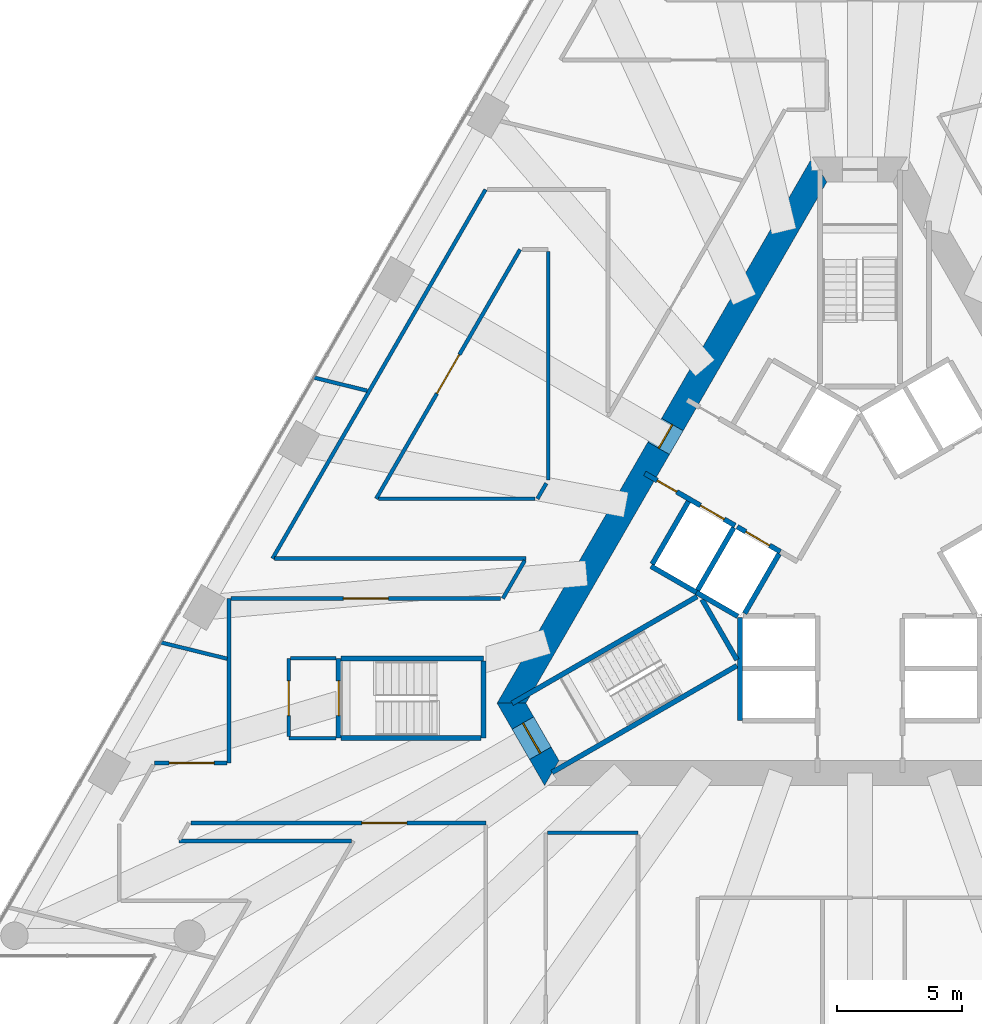
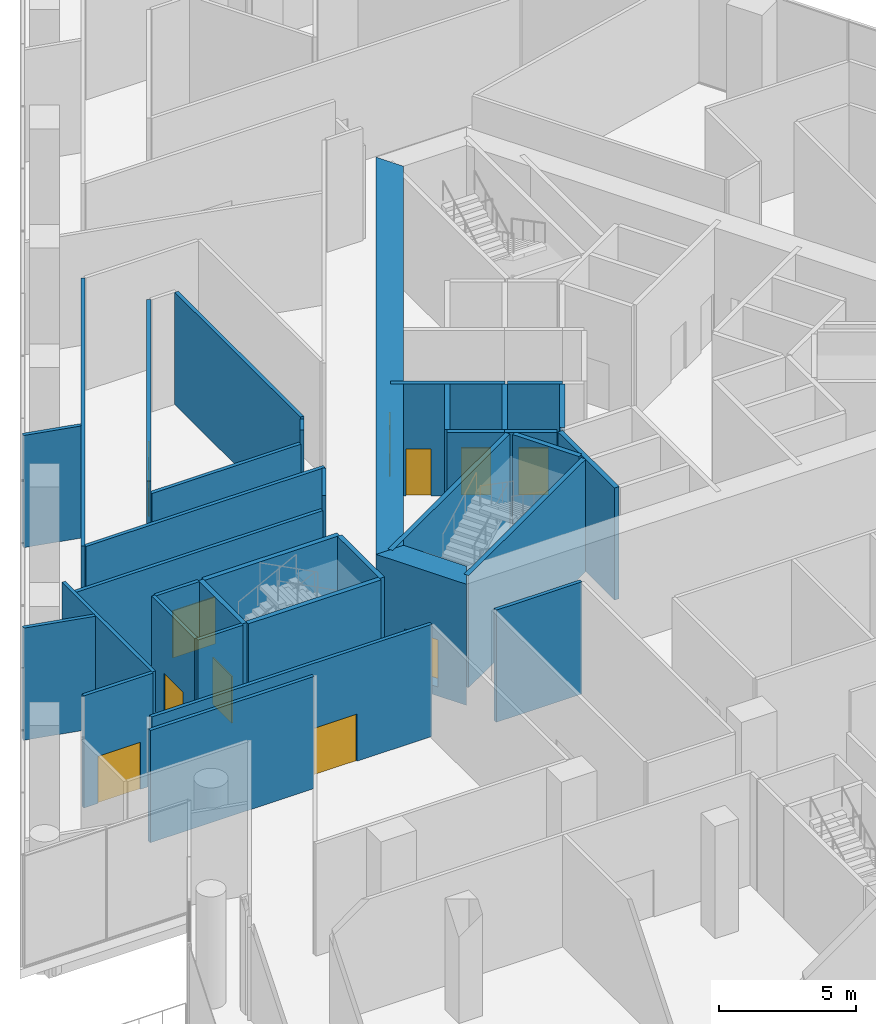
# One storey, part 23 of 32: 35 walls, 11 doors, 11 openings.
"""IFC4 building model written with IfcOpenShell, lengths in metres."""

from ifc_helpers import new_model, si_unit, direction, frame, frame_2d, origin, place, context, subcontext, project, spatial, polyline, rectangle, outline, extrude, material, layer, layer_set, type_object, element, fill, save


model = new_model("IFC4")

# Units and contexts
model_context = context("Model", 3, precision=1e-05, world=origin(), true_north=direction((0.0, 1.0)))
body_context = subcontext(model_context, "Body", "Model", "MODEL_VIEW")
ifc_project = project(units=[si_unit("LENGTHUNIT", "METRE"), si_unit("AREAUNIT", "SQUARE_METRE"), si_unit("VOLUMEUNIT", "CUBIC_METRE"), si_unit("PLANEANGLEUNIT", "RADIAN"), si_unit("MASSUNIT", "GRAM", prefix="KILO")], contexts=[model_context])

# Site, building, storey
site_placement = place(None, origin())
site = spatial("IfcSite", under=ifc_project, at=site_placement, CompositionType="ELEMENT")
building_placement = place(site_placement, origin())
building = spatial("IfcBuilding", under=site, at=building_placement, Name="Triada Interchange Tower", CompositionType="ELEMENT")
storey_placement = place(building_placement, frame((0.0, 0.0, 14.5)))
storey = spatial("IfcBuildingStorey", under=building, at=storey_placement, Name="L02", CompositionType="ELEMENT", Elevation=14.5)

# Walls
ifc_material_1 = material(Name="Concrete C30/37", Category="concrete")
ifc_layer_1 = layer(ifc_material_1, 0.199951171875)
ifc_layer_set_1 = layer_set([ifc_layer_1], Name="CORE WALL 200 EI 120")
wall_type_1 = type_object("IfcWallType", Name="CORE WALL 200 EI 120", PredefinedType="SOLIDWALL", material=ifc_layer_set_1)
wall_1_placement = place(storey_placement, frame((-8.3759765625, -0.70703125, 0.0), z_axis=(0.0, 0.0, 1.0), x_axis=(0.866067520717, -0.499927044236, 0.0)))
element("IfcWall", 1, at=wall_1_placement, inside=storey, type_object=wall_type_1, Name="Wall L02 143", PredefinedType="SOLIDWALL", context=body_context, shape_type="SweptSolid", body=[
    extrude(rectangle(XDim=2.100341796875, YDim=0.199951171875, at=frame_2d((1.05029296875, 0.0))), origin(), (0.0, 0.0, 1.0), 5.0),
])
wall_2_placement = place(storey_placement, frame((-8.325927734375, -0.6201171875, 0.0), z_axis=(0.0, 0.0, 1.0), x_axis=(0.500023687443, 0.866011727401, 0.0)))
element("IfcWall", 2, at=wall_2_placement, inside=storey, type_object=wall_type_1, Name="Wall L02 144", PredefinedType="SOLIDWALL", context=body_context, shape_type="SweptSolid", body=[
    extrude(rectangle(XDim=2.899658203125, YDim=0.199951171875, at=frame_2d((1.44970703125, 0.0))), origin(), (0.0, 0.0, 1.0), 5.0),
])
wall_3_placement = place(storey_placement, frame((-4.800048828125, -6.89990234375, 0.0), z_axis=(0.0, 0.0, 1.0), x_axis=(0.0, 1.0, 0.0)))
element("IfcWall", 3, at=wall_3_placement, inside=storey, type_object=wall_type_1, Name="Wall L02 147", PredefinedType="SOLIDWALL", context=body_context, shape_type="SweptSolid", body=[
    extrude(rectangle(XDim=4.130859375, YDim=0.199951171875, at=frame_2d((2.0654296875, 0.0))), origin(), (0.0, 0.0, 1.0), 5.0),
])

# Wall, openings, doors
ifc_layer_2 = layer(ifc_material_1, 0.199951171875)
ifc_layer_set_2 = layer_set([ifc_layer_2], Name="CORE WALL 200 EI 180")
wall_type_2 = type_object("IfcWallType", Name="CORE WALL 200 EI 180", PredefinedType="SOLIDWALL", material=ifc_layer_set_2)
wall_4_placement = place(storey_placement, frame((-8.626953125, 3.01806640625, 0.0), z_axis=(0.0, 0.0, 1.0), x_axis=(0.866039775641, -0.499975106388, 0.0)))
wall_4 = element("IfcWall", 4, at=wall_4_placement, inside=storey, type_object=wall_type_2, Name="Wall L02 165", PredefinedType="SOLIDWALL", context=body_context, shape_type="SweptSolid", body=[
    extrude(rectangle(XDim=4.182373046875, YDim=0.199951171875, at=frame_2d((2.09130859375, 0.0))), origin(), (0.0, 0.0, 1.0), 5.0),
])
opening_1_placement = place(wall_4_placement, frame((2.580078125, 0.0, 0.0)))
opening_1 = element("IfcOpeningElement", 5, at=opening_1_placement, cuts=wall_4, Name="Opening LD-SV1", PredefinedType="OPENING", context=body_context, shape_type="SweptSolid", body=[
    extrude(rectangle(XDim=1.10009765625, YDim=2.10009765625, at=frame_2d((0.550048828125, 1.050048828125))), frame((0.0, 0.10986328125, 0.0), z_axis=(0.0, -1.0, 0.0), x_axis=(1.0, 0.0, 0.0)), (0.0, 0.0, 1.0), 0.219970703125),
])
opening_2_placement = place(wall_4_placement, frame((0.580078125, 0.0, 0.0)))
opening_2 = element("IfcOpeningElement", 6, at=opening_2_placement, cuts=wall_4, Name="Opening D02-57", PredefinedType="OPENING", context=body_context, shape_type="SweptSolid", body=[
    extrude(rectangle(XDim=0.89990234375, YDim=2.10009765625, at=frame_2d((0.449951171875, 1.050048828125))), frame((0.0, 0.10986328125, 0.0), z_axis=(0.0, -1.0, 0.0), x_axis=(1.0, 0.0, 0.0)), (0.0, 0.0, 1.0), 0.219970703125),
])
ifc_material_2 = material(Name="Steel S235 door leaf", Category="steel")
door_type_1 = type_object("IfcDoorType", Name="LIFT LANDING DOOR 1100 EI 120", OperationType="SLIDING_TO_LEFT", PredefinedType="DOOR", material=ifc_material_2)
door_1_placement = place(opening_1_placement, origin())
door_1 = element("IfcDoor", 7, at=door_1_placement, inside=storey, type_object=door_type_1, Name="SV1 landing door L02", OperationType="SLIDING_TO_LEFT", OverallHeight=2.10009765625, OverallWidth=1.10009765625, PredefinedType="DOOR", context=body_context, shape_type="SweptSolid", body=[
    extrude(rectangle(XDim=1.10009765625, YDim=2.10009765625, at=frame_2d((0.550048828125, 1.050048828125))), frame((0.0, 0.02490234375, 0.0), z_axis=(0.0, -1.0, 0.0), x_axis=(1.0, 0.0, 0.0)), (0.0, 0.0, 1.0), 0.050048828125),
])
fill(opening_1, door_1)
door_type_2 = type_object("IfcDoorType", Name="SERVICE DOOR 900 EI2 45-C5S200", OperationType="NOTDEFINED", PredefinedType="DOOR", material=ifc_material_2)
door_2_placement = place(opening_2_placement, origin())
door_2 = element("IfcDoor", 8, at=door_2_placement, inside=storey, type_object=door_type_2, Name="Door D02-57 L02", OperationType="SINGLE_SWING_LEFT", OverallHeight=2.10009765625, OverallWidth=0.89990234375, PredefinedType="DOOR", context=body_context, shape_type="SweptSolid", body=[
    extrude(rectangle(XDim=0.89990234375, YDim=2.10009765625, at=frame_2d((0.449951171875, 1.050048828125))), frame((0.0, 0.02490234375, 0.0), z_axis=(0.0, -1.0, 0.0), x_axis=(1.0, 0.0, 0.0)), (0.0, 0.0, 1.0), 0.050048828125),
])
fill(opening_2, door_2)

# Walls
wall_5_placement = place(storey_placement, frame((-6.556884765625, -1.757080078125, 0.0), z_axis=(0.0, 0.0, 1.0), x_axis=(0.8659754619, -0.500086491905, 0.0)))
element("IfcWall", 9, at=wall_5_placement, inside=storey, type_object=wall_type_2, Name="Shaft wall FF1 L02 172", PredefinedType="SOLIDWALL", context=body_context, shape_type="SweptSolid", body=[
    extrude(rectangle(XDim=1.915771484375, YDim=0.199951171875, at=frame_2d((0.9580078125, 0.0))), origin(), (0.0, 0.0, 1.0), 5.0),
])
wall_6_placement = place(storey_placement, frame((-6.507080078125, -1.669921875, 0.0), z_axis=(0.0, 0.0, 1.0), x_axis=(0.50012328804, 0.865954211699, 0.0)))
element("IfcWall", 10, at=wall_6_placement, inside=storey, type_object=wall_type_2, Name="Shaft wall FF1 L02 173", PredefinedType="SOLIDWALL", context=body_context, shape_type="SweptSolid", body=[
    extrude(rectangle(XDim=2.899658203125, YDim=0.199951171875, at=frame_2d((1.44970703125, 0.0))), origin(), (0.0, 0.0, 1.0), 5.0),
])

# Wall, opening, door
wall_7_placement = place(storey_placement, frame((-4.919921875, 0.8779296875, 0.0), z_axis=(0.0, 0.0, 1.0), x_axis=(0.866010750942, -0.50002537861, 0.0)))
wall_7 = element("IfcWall", 11, at=wall_7_placement, inside=storey, type_object=wall_type_2, Name="Shaft wall FF1 L02 174", PredefinedType="SOLIDWALL", context=body_context, shape_type="SweptSolid", body=[
    extrude(rectangle(XDim=2.0, YDim=0.199951171875, at=frame_2d((1.0, 0.0))), origin(), (0.0, 0.0, 1.0), 5.0),
])
opening_3_placement = place(wall_7_placement, frame((0.39990234375, 0.0, 0.0)))
opening_3 = element("IfcOpeningElement", 12, at=opening_3_placement, cuts=wall_7, Name="Opening LD-FF1", PredefinedType="OPENING", context=body_context, shape_type="SweptSolid", body=[
    extrude(rectangle(XDim=1.10009765625, YDim=2.10009765625, at=frame_2d((0.550048828125, 1.050048828125))), frame((0.0, 0.10986328125, 0.0), z_axis=(0.0, -1.0, 0.0), x_axis=(1.0, 0.0, 0.0)), (0.0, 0.0, 1.0), 0.219970703125),
])
door_3_placement = place(opening_3_placement, origin())
door_3 = element("IfcDoor", 13, at=door_3_placement, inside=storey, type_object=door_type_1, Name="FF1 landing door L02", OperationType="SLIDING_TO_LEFT", OverallHeight=2.10009765625, OverallWidth=1.10009765625, PredefinedType="DOOR", context=body_context, shape_type="SweptSolid", body=[
    extrude(rectangle(XDim=1.10009765625, YDim=2.10009765625, at=frame_2d((0.550048828125, 1.050048828125))), frame((0.0, 0.02490234375, 0.0), z_axis=(0.0, -1.0, 0.0), x_axis=(1.0, 0.0, 0.0)), (0.0, 0.0, 1.0), 0.050048828125),
])
fill(opening_3, door_3)

# Walls
wall_8_placement = place(storey_placement, frame((-4.618896484375, -2.60009765625, 0.0), z_axis=(0.0, 0.0, 1.0), x_axis=(0.50009492287, 0.865970593103, 0.0)))
element("IfcWall", 14, at=wall_8_placement, inside=storey, type_object=wall_type_2, Name="Shaft wall FF1 L02 175", PredefinedType="SOLIDWALL", context=body_context, shape_type="SweptSolid", body=[
    extrude(rectangle(XDim=2.76123046875, YDim=0.199951171875, at=frame_2d((1.380615234375, 0.0))), origin(), (0.0, 0.0, 1.0), 5.0),
])
ifc_layer_3 = layer(ifc_material_1, 0.199951171875)
ifc_layer_set_3 = layer_set([ifc_layer_3], Name="CORE WALL 200 REI 240")
wall_type_3 = type_object("IfcWallType", Name="CORE WALL 200 REI 240", PredefinedType="SOLIDWALL", material=ifc_layer_set_3)
wall_9_placement = place(storey_placement, frame((-13.946044921875, -6.2041015625, 0.0), z_axis=(0.0, 0.0, 1.0), x_axis=(0.866036527536, 0.499980732602, 0.0)))
element("IfcWall", 15, at=wall_9_placement, inside=storey, type_object=wall_type_3, Name="Wall L02 182", PredefinedType="SOLIDWALL", context=body_context, shape_type="SweptSolid", body=[
    extrude(rectangle(XDim=8.564208984375, YDim=0.199951171875, at=frame_2d((4.2822265625, 0.0))), origin(), (0.0, 0.0, 1.0), 5.0),
])
wall_10_placement = place(storey_placement, frame((-6.3291015625, -2.0380859375, 0.0), z_axis=(0.0, 0.0, 1.0), x_axis=(0.500200581029, -0.865909567298, 0.0)))
element("IfcWall", 16, at=wall_10_placement, inside=storey, type_object=wall_type_3, Name="Wall L02 183", PredefinedType="SOLIDWALL", context=body_context, shape_type="SweptSolid", body=[
    extrude(rectangle(XDim=2.799072265625, YDim=0.199951171875, at=frame_2d((1.3994140625, 0.0))), origin(), (0.0, 0.0, 1.0), 5.0),
])
wall_11_placement = place(storey_placement, frame((-12.345947265625, -8.97607421875, 0.0), z_axis=(0.0, 0.0, 1.0), x_axis=(0.865987152174, 0.50006624788, 0.0)))
element("IfcWall", 17, at=wall_11_placement, inside=storey, type_object=wall_type_3, Name="Wall L02 184", PredefinedType="SOLIDWALL", context=body_context, shape_type="SweptSolid", body=[
    extrude(rectangle(XDim=8.564697265625, YDim=0.199951171875, at=frame_2d((4.2822265625, 0.0))), origin(), (0.0, 0.0, 1.0), 5.0),
])

# Wall, opening, door
wall_12_placement = place(storey_placement, frame((-20.89990234375, -7.60009765625, 0.0), z_axis=(0.0, 0.0, 1.0), x_axis=(0.0, 1.0, 0.0)))
wall_12 = element("IfcWall", 18, at=wall_12_placement, inside=storey, type_object=wall_type_3, Name="Wall L02 191", PredefinedType="SOLIDWALL", context=body_context, shape_type="SweptSolid", body=[
    extrude(rectangle(XDim=3.2001953125, YDim=0.199951171875, at=frame_2d((1.60009765625, 0.0))), origin(), (0.0, 0.0, 1.0), 5.0),
])
opening_4_placement = place(wall_12_placement, frame((0.89990234375, 0.0, 0.0)))
opening_4 = element("IfcOpeningElement", 19, at=opening_4_placement, cuts=wall_12, Name="Opening D02-15", PredefinedType="OPENING", context=body_context, shape_type="SweptSolid", body=[
    extrude(rectangle(XDim=1.39990234375, YDim=2.10009765625, at=frame_2d((0.699951171875, 1.050048828125))), frame((0.0, 0.10986328125, 0.0), z_axis=(0.0, -1.0, 0.0), x_axis=(1.0, 0.0, 0.0)), (0.0, 0.0, 1.0), 0.219970703125),
])
door_type_3 = type_object("IfcDoorType", Name="STAIR DOOR 1400 EI2 90-C5S200", OperationType="DOUBLE_DOOR_SINGLE_SWING", PredefinedType="DOOR", material=ifc_material_2)
door_4_placement = place(opening_4_placement, origin())
door_4 = element("IfcDoor", 20, at=door_4_placement, inside=storey, type_object=door_type_3, Name="Door D02-15 L02", OperationType="DOUBLE_DOOR_SINGLE_SWING", OverallHeight=2.10009765625, OverallWidth=1.39990234375, PredefinedType="DOOR", context=body_context, shape_type="SweptSolid", body=[
    extrude(rectangle(XDim=1.39990234375, YDim=2.10009765625, at=frame_2d((0.699951171875, 1.050048828125))), frame((0.0, 0.02490234375, 0.0), z_axis=(0.0, -1.0, 0.0), x_axis=(1.0, 0.0, 0.0)), (0.0, 0.0, 1.0), 0.050048828125),
])
fill(opening_4, door_4)

# Walls
wall_13_placement = place(storey_placement, frame((-20.800048828125, -4.39990234375, 0.0), z_axis=(0.0, 0.0, 1.0), x_axis=(1.0, 0.0, 0.0)))
element("IfcWall", 21, at=wall_13_placement, inside=storey, type_object=wall_type_3, Name="Wall L02 192", PredefinedType="SOLIDWALL", context=body_context, shape_type="SweptSolid", body=[
    extrude(rectangle(XDim=5.699951171875, YDim=0.199951171875, at=frame_2d((2.85009765625, 0.0))), origin(), (0.0, 0.0, 1.0), 5.0),
])
wall_14_placement = place(storey_placement, frame((-15.10009765625, -7.60009765625, 0.0), z_axis=(0.0, 0.0, 1.0), x_axis=(0.0, 1.0, 0.0)))
element("IfcWall", 22, at=wall_14_placement, inside=storey, type_object=wall_type_3, Name="Wall L02 194", PredefinedType="SOLIDWALL", context=body_context, shape_type="SweptSolid", body=[
    extrude(rectangle(XDim=3.10009765625, YDim=0.199951171875, at=frame_2d((1.550048828125, 0.0))), origin(), (0.0, 0.0, 1.0), 5.0),
])
wall_15_placement = place(storey_placement, frame((-20.800048828125, -7.60009765625, 0.0), z_axis=(0.0, 0.0, 1.0), x_axis=(1.0, 0.0, 0.0)))
element("IfcWall", 23, at=wall_15_placement, inside=storey, type_object=wall_type_3, Name="Wall L02 195", PredefinedType="SOLIDWALL", context=body_context, shape_type="SweptSolid", body=[
    extrude(rectangle(XDim=5.60009765625, YDim=0.199951171875, at=frame_2d((2.800048828125, 0.0))), origin(), (0.0, 0.0, 1.0), 5.0),
])

# Wall, opening, door
ifc_material_3 = material(Name="Concrete C70/85", Category="concrete")
ifc_layer_4 = layer(ifc_material_3, 1.0)
ifc_layer_set_4 = layer_set([ifc_layer_4], Name="Core wall P 1000")
wall_type_4 = type_object("IfcWallType", Name="Core wall P 1000", PredefinedType="SHEAR", material=ifc_layer_set_4)
wall_16_placement = place(storey_placement, frame((-1.616943359375, 15.199951171875, -0.39990234375), z_axis=(0.0, 0.0, 1.0), x_axis=(-0.499992141631, -0.866029940768, 0.0)))
wall_16 = element("IfcWall", 24, at=wall_16_placement, inside=storey, type_object=wall_type_4, Name="Core wall WP02 L02", PredefinedType="SHEAR", context=body_context, shape_type="SweptSolid", body=[
    extrude(outline(polyline([(-0.2890625, -0.4990234375), (1.65625, -0.4990234375), (3.601318359375, -0.499267578125), (5.546630859375, -0.499267578125), (7.491943359375, -0.499267578125), (9.43701171875, -0.49951171875), (11.38232421875, -0.49951171875), (13.32763671875, -0.49951171875), (15.27294921875, -0.49951171875), (17.218017578125, -0.499755859375), (19.163330078125, -0.499755859375), (21.108642578125, -0.499755859375), (23.0537109375, -0.5), (24.9990234375, -0.5), (24.422119140625, 0.5), (22.565673828125, 0.5), (20.709228515625, 0.5), (18.85302734375, 0.5), (16.99658203125, 0.5), (15.14013671875, 0.5), (13.28369140625, 0.5), (11.427490234375, 0.5), (9.571044921875, 0.5), (7.714599609375, 0.5), (5.858154296875, 0.5), (4.001953125, 0.5), (2.1455078125, 0.5), (0.2890625, 0.5), (-0.2890625, -0.4990234375)])), origin(), (0.0, 0.0, 1.0), 5.39990234375),
])
opening_5_placement = place(wall_16_placement, frame((11.804931640625, 0.0, 0.39990234375)))
opening_5 = element("IfcOpeningElement", 25, at=opening_5_placement, cuts=wall_16, Name="Opening D02-56", PredefinedType="OPENING", context=body_context, shape_type="SweptSolid", body=[
    extrude(rectangle(XDim=1.10009765625, YDim=2.10009765625, at=frame_2d((0.550048828125, 1.050048828125))), frame((0.0, 0.510009765625, 0.0), z_axis=(0.0, -1.0, 0.0), x_axis=(1.0, 0.0, 0.0)), (0.0, 0.0, 1.0), 1.02001953125),
])
door_type_4 = type_object("IfcDoorType", Name="FIRE LOBBY DOOR 1100 EI2 90-C5S200", OperationType="NOTDEFINED", PredefinedType="DOOR", material=ifc_material_2)
door_5_placement = place(opening_5_placement, origin())
door_5 = element("IfcDoor", 26, at=door_5_placement, inside=storey, type_object=door_type_4, Name="Door D02-56 L02", OperationType="SINGLE_SWING_LEFT", OverallHeight=2.10009765625, OverallWidth=1.10009765625, PredefinedType="DOOR", context=body_context, shape_type="SweptSolid", body=[
    extrude(rectangle(XDim=1.10009765625, YDim=2.10009765625, at=frame_2d((0.550048828125, 1.050048828125))), frame((0.0, 0.02490234375, 0.0), z_axis=(0.0, -1.0, 0.0), x_axis=(1.0, 0.0, 0.0)), (0.0, 0.0, 1.0), 0.050048828125),
])
fill(opening_5, door_5)

wall_17_placement = place(storey_placement, frame((-13.971923828125, -6.199951171875, -0.39990234375), z_axis=(0.0, 0.0, 1.0), x_axis=(0.500077567175, -0.865980615723, 0.0)))
wall_17 = element("IfcWall", 27, at=wall_17_placement, inside=storey, type_object=wall_type_4, Name="Core wall WP03 L02", PredefinedType="SHEAR", context=body_context, shape_type="SweptSolid", body=[
    extrude(outline(polyline([(-0.2890625, -0.5), (1.616455078125, -0.5), (3.52197265625, -0.5), (2.944091796875, 0.4990234375), (1.61669921875, 0.49951171875), (0.2890625, 0.5), (-0.2890625, -0.5)])), origin(), (0.0, 0.0, 1.0), 5.39990234375),
])
opening_6_placement = place(wall_17_placement, frame((0.9169921875, 0.0, 0.39990234375)))
opening_6 = element("IfcOpeningElement", 28, at=opening_6_placement, cuts=wall_17, Name="Opening D02-54", PredefinedType="OPENING", context=body_context, shape_type="SweptSolid", body=[
    extrude(rectangle(XDim=1.39990234375, YDim=2.10009765625, at=frame_2d((0.699951171875, 1.050048828125))), frame((0.0, 0.510009765625, 0.0), z_axis=(0.0, -1.0, 0.0), x_axis=(1.0, 0.0, 0.0)), (0.0, 0.0, 1.0), 1.02001953125),
])
door_6_placement = place(opening_6_placement, origin())
door_6 = element("IfcDoor", 29, at=door_6_placement, inside=storey, type_object=door_type_3, Name="Door D02-54 L02", OperationType="DOUBLE_DOOR_SINGLE_SWING", OverallHeight=2.10009765625, OverallWidth=1.39990234375, PredefinedType="DOOR", context=body_context, shape_type="SweptSolid", body=[
    extrude(rectangle(XDim=1.39990234375, YDim=2.10009765625, at=frame_2d((0.699951171875, 1.050048828125))), frame((0.0, 0.02490234375, 0.0), z_axis=(0.0, -1.0, 0.0), x_axis=(1.0, 0.0, 0.0)), (0.0, 0.0, 1.0), 0.050048828125),
])
fill(opening_6, door_6)

# Walls
ifc_material_4 = material(Name="Gypsum board partition")
ifc_layer_5 = layer(ifc_material_4, 0.14990234375)
ifc_layer_set_5 = layer_set([ifc_layer_5], Name="PARTITION 150")
wall_type_5 = type_object("IfcWallType", Name="PARTITION 150", PredefinedType="PARTITIONING", material=ifc_layer_set_5)
wall_18_placement = place(storey_placement, frame((-28.037109375, -3.760986328125, 0.0), z_axis=(0.0, 0.0, 1.0), x_axis=(0.971036815216, -0.238929913355, 0.0)))
element("IfcWall", 30, at=wall_18_placement, inside=storey, type_object=wall_type_5, Name="Wall L02 30", PredefinedType="PARTITIONING", context=body_context, shape_type="SweptSolid", body=[
    extrude(rectangle(XDim=2.741455078125, YDim=0.14990234375, at=frame_2d((1.37060546875, 0.0))), origin(), (0.0, 0.0, 1.0), 5.0),
])
wall_19_placement = place(storey_placement, frame((-21.904052734375, 6.861083984375, 0.0), z_axis=(0.0, 0.0, 1.0), x_axis=(0.970980584994, -0.239158323219, 0.0)))
element("IfcWall", 31, at=wall_19_placement, inside=storey, type_object=wall_type_5, Name="Wall L02 45", PredefinedType="PARTITIONING", context=body_context, shape_type="SweptSolid", body=[
    extrude(rectangle(XDim=2.212158203125, YDim=0.14990234375, at=frame_2d((1.10595703125, 0.0))), origin(), (0.0, 0.0, 1.0), 5.0),
])
ifc_layer_6 = layer(ifc_material_4, 0.14990234375)
ifc_layer_set_6 = layer_set([ifc_layer_6], Name="PARTITION 150 EI 180")
wall_type_6 = type_object("IfcWallType", Name="PARTITION 150 EI 180", PredefinedType="PARTITIONING", material=ifc_layer_set_6)
wall_20_placement = place(storey_placement, frame((-22.89990234375, -7.60009765625, 0.0), z_axis=(0.0, 0.0, 1.0), x_axis=(1.0, 0.0, 0.0)))
element("IfcWall", 32, at=wall_20_placement, inside=storey, type_object=wall_type_6, Name="Wall L02 1", PredefinedType="PARTITIONING", context=body_context, shape_type="SweptSolid", body=[
    extrude(rectangle(XDim=1.89990234375, YDim=0.14990234375, at=frame_2d((0.949951171875, 0.0))), origin(), (0.0, 0.0, 1.0), 5.0),
])

# Wall, opening, door
wall_21_placement = place(storey_placement, frame((-22.89990234375, -7.52490234375, 0.0), z_axis=(0.0, 0.0, 1.0), x_axis=(0.0, 1.0, 0.0)))
wall_21 = element("IfcWall", 33, at=wall_21_placement, inside=storey, type_object=wall_type_6, Name="Wall L02 3", PredefinedType="PARTITIONING", context=body_context, shape_type="SweptSolid", body=[
    extrude(rectangle(XDim=3.125, YDim=0.14990234375, at=frame_2d((1.5625, 0.0))), origin(), (0.0, 0.0, 1.0), 5.0),
])
opening_7_placement = place(wall_21_placement, frame((0.824951171875, 0.0, 0.0)))
opening_7 = element("IfcOpeningElement", 34, at=opening_7_placement, cuts=wall_21, Name="Opening D02-16", PredefinedType="OPENING", context=body_context, shape_type="SweptSolid", body=[
    extrude(rectangle(XDim=1.39990234375, YDim=2.10009765625, at=frame_2d((0.699951171875, 1.050048828125))), frame((0.0, 0.0849609375, 0.0), z_axis=(0.0, -1.0, 0.0), x_axis=(1.0, 0.0, 0.0)), (0.0, 0.0, 1.0), 0.169921875),
])
door_7_placement = place(opening_7_placement, origin())
door_7 = element("IfcDoor", 35, at=door_7_placement, inside=storey, type_object=door_type_3, Name="Door D02-16 L02", OperationType="DOUBLE_DOOR_SINGLE_SWING", OverallHeight=2.10009765625, OverallWidth=1.39990234375, PredefinedType="DOOR", context=body_context, shape_type="SweptSolid", body=[
    extrude(rectangle(XDim=1.39990234375, YDim=2.10009765625, at=frame_2d((0.699951171875, 1.050048828125))), frame((0.0, 0.02490234375, 0.0), z_axis=(0.0, -1.0, 0.0), x_axis=(1.0, 0.0, 0.0)), (0.0, 0.0, 1.0), 0.050048828125),
])
fill(opening_7, door_7)

# Walls
wall_22_placement = place(storey_placement, frame((-22.824951171875, -4.39990234375, 0.0), z_axis=(0.0, 0.0, 1.0), x_axis=(1.0, 0.0, 0.0)))
element("IfcWall", 36, at=wall_22_placement, inside=storey, type_object=wall_type_6, Name="Wall L02 4", PredefinedType="PARTITIONING", context=body_context, shape_type="SweptSolid", body=[
    extrude(rectangle(XDim=1.824951171875, YDim=0.14990234375, at=frame_2d((0.91259765625, 0.0))), origin(), (0.0, 0.0, 1.0), 5.0),
])
ifc_layer_7 = layer(ifc_material_4, 0.14990234375)
ifc_layer_set_7 = layer_set([ifc_layer_7], Name="PARTITION 150 EI 90")
wall_type_7 = type_object("IfcWallType", Name="PARTITION 150 EI 90", PredefinedType="PARTITIONING", material=ifc_layer_set_7)
wall_23_placement = place(storey_placement, frame((-25.300048828125, -8.60009765625, 0.0), z_axis=(0.0, 0.0, 1.0), x_axis=(0.0, 1.0, 0.0)))
element("IfcWall", 37, at=wall_23_placement, inside=storey, type_object=wall_type_7, Name="Wall L02 31", PredefinedType="PARTITIONING", context=body_context, shape_type="SweptSolid", body=[
    extrude(rectangle(XDim=6.60009765625, YDim=0.14990234375, at=frame_2d((3.300048828125, 0.0))), origin(), (0.0, 0.0, 1.0), 5.0),
])

# Wall, opening, door
wall_24_placement = place(storey_placement, frame((-28.2900390625, -8.60009765625, 0.0), z_axis=(0.0, 0.0, 1.0), x_axis=(1.0, 0.0, 0.0)))
wall_24 = element("IfcWall", 38, at=wall_24_placement, inside=storey, type_object=wall_type_7, Name="Wall L02 32", PredefinedType="PARTITIONING", context=body_context, shape_type="SweptSolid", body=[
    extrude(rectangle(XDim=2.9150390625, YDim=0.14990234375, at=frame_2d((1.45751953125, 0.0))), origin(), (0.0, 0.0, 1.0), 5.0),
])
opening_8_placement = place(wall_24_placement, frame((0.590087890625, 0.0, 0.0)))
opening_8 = element("IfcOpeningElement", 39, at=opening_8_placement, cuts=wall_24, Name="Opening D02-42", PredefinedType="OPENING", context=body_context, shape_type="SweptSolid", body=[
    extrude(rectangle(XDim=1.800048828125, YDim=2.10009765625, at=frame_2d((0.89990234375, 1.050048828125))), frame((0.0, 0.0849609375, 0.0), z_axis=(0.0, -1.0, 0.0), x_axis=(1.0, 0.0, 0.0)), (0.0, 0.0, 1.0), 0.169921875),
])
door_type_5 = type_object("IfcDoorType", Name="SHOP AND HALL ENTRANCE DOOR 1800 EI2 90-C5S200", OperationType="DOUBLE_DOOR_SINGLE_SWING", PredefinedType="DOOR", material=ifc_material_2)
door_8_placement = place(opening_8_placement, origin())
door_8 = element("IfcDoor", 40, at=door_8_placement, inside=storey, type_object=door_type_5, Name="Door D02-42 L02", OperationType="DOUBLE_DOOR_SINGLE_SWING", OverallHeight=2.10009765625, OverallWidth=1.800048828125, PredefinedType="DOOR", context=body_context, shape_type="SweptSolid", body=[
    extrude(rectangle(XDim=1.800048828125, YDim=2.10009765625, at=frame_2d((0.89990234375, 1.050048828125))), frame((0.0, 0.02490234375, 0.0), z_axis=(0.0, -1.0, 0.0), x_axis=(1.0, 0.0, 0.0)), (0.0, 0.0, 1.0), 0.050048828125),
])
fill(opening_8, door_8)

# Walls
wall_25_placement = place(storey_placement, frame((-23.555908203125, -0.39990234375, 0.0), z_axis=(0.0, 0.0, 1.0), x_axis=(0.500011000363, 0.866019052629, 0.0)))
element("IfcWall", 41, at=wall_25_placement, inside=storey, type_object=wall_type_7, Name="Wall L02 36", PredefinedType="PARTITIONING", context=body_context, shape_type="SweptSolid", body=[
    extrude(rectangle(XDim=17.08935546875, YDim=0.14990234375, at=frame_2d((8.544677734375, 0.0))), origin(), (0.0, 0.0, 1.0), 5.0),
])
wall_26_placement = place(storey_placement, frame((-23.468994140625, -0.39990234375, 0.0), z_axis=(0.0, 0.0, 1.0), x_axis=(1.0, 0.0, 0.0)))
element("IfcWall", 42, at=wall_26_placement, inside=storey, type_object=wall_type_7, Name="Wall L02 40", PredefinedType="PARTITIONING", context=body_context, shape_type="SweptSolid", body=[
    extrude(rectangle(XDim=10.073974609375, YDim=0.14990234375, at=frame_2d((5.037109375, 0.0))), origin(), (0.0, 0.0, 1.0), 5.0),
])
wall_27_placement = place(storey_placement, frame((-14.318115234375, -2.0, 0.0), z_axis=(0.0, 0.0, 1.0), x_axis=(0.499882500683, 0.86609323142, 0.0)))
element("IfcWall", 43, at=wall_27_placement, inside=storey, type_object=wall_type_7, Name="Wall L02 41", PredefinedType="PARTITIONING", context=body_context, shape_type="SweptSolid", body=[
    extrude(rectangle(XDim=1.7607421875, YDim=0.14990234375, at=frame_2d((0.88037109375, 0.0))), origin(), (0.0, 0.0, 1.0), 5.0),
])

# Wall, opening, door
wall_28_placement = place(storey_placement, frame((-25.22509765625, -2.0, 0.0), z_axis=(0.0, 0.0, 1.0), x_axis=(1.0, 0.0, 0.0)))
wall_28 = element("IfcWall", 44, at=wall_28_placement, inside=storey, type_object=wall_type_7, Name="Wall L02 43", PredefinedType="PARTITIONING", context=body_context, shape_type="SweptSolid", body=[
    extrude(rectangle(XDim=10.820068359375, YDim=0.14990234375, at=frame_2d((5.41015625, 0.0))), origin(), (0.0, 0.0, 1.0), 4.39990234375),
])
opening_9_placement = place(wall_28_placement, frame((4.51611328125, 0.0, 0.0)))
opening_9 = element("IfcOpeningElement", 45, at=opening_9_placement, cuts=wall_28, Name="Opening D02-41", PredefinedType="OPENING", context=body_context, shape_type="SweptSolid", body=[
    extrude(rectangle(XDim=1.800048828125, YDim=2.10009765625, at=frame_2d((0.89990234375, 1.050048828125))), frame((0.0, 0.0849609375, 0.0), z_axis=(0.0, -1.0, 0.0), x_axis=(1.0, 0.0, 0.0)), (0.0, 0.0, 1.0), 0.169921875),
])
door_9_placement = place(opening_9_placement, origin())
door_9 = element("IfcDoor", 46, at=door_9_placement, inside=storey, type_object=door_type_5, Name="Door D02-41 L02", OperationType="DOUBLE_DOOR_SINGLE_SWING", OverallHeight=2.10009765625, OverallWidth=1.800048828125, PredefinedType="DOOR", context=body_context, shape_type="SweptSolid", body=[
    extrude(rectangle(XDim=1.800048828125, YDim=2.10009765625, at=frame_2d((0.89990234375, 1.050048828125))), frame((0.0, 0.02490234375, 0.0), z_axis=(0.0, -1.0, 0.0), x_axis=(1.0, 0.0, 0.0)), (0.0, 0.0, 1.0), 0.050048828125),
])
fill(opening_9, door_9)

wall_29_placement = place(storey_placement, frame((-19.39892578125, 2.0, 0.0), z_axis=(0.0, 0.0, 1.0), x_axis=(0.500027479704, 0.866009537788, 0.0)))
wall_29 = element("IfcWall", 47, at=wall_29_placement, inside=storey, type_object=wall_type_7, Name="Wall L02 112", PredefinedType="PARTITIONING", context=body_context, shape_type="SweptSolid", body=[
    extrude(rectangle(XDim=11.547119140625, YDim=0.14990234375, at=frame_2d((5.7734375, 0.0))), origin(), (0.0, 0.0, 1.0), 5.0),
])
opening_10_placement = place(wall_29_placement, frame((4.8740234375, 0.0, 0.0)))
opening_10 = element("IfcOpeningElement", 48, at=opening_10_placement, cuts=wall_29, Name="Opening D02-32", PredefinedType="OPENING", context=body_context, shape_type="SweptSolid", body=[
    extrude(rectangle(XDim=1.800048828125, YDim=2.10009765625, at=frame_2d((0.89990234375, 1.050048828125))), frame((0.0, 0.0849609375, 0.0), z_axis=(0.0, -1.0, 0.0), x_axis=(1.0, 0.0, 0.0)), (0.0, 0.0, 1.0), 0.169921875),
])
door_10_placement = place(opening_10_placement, origin())
door_10 = element("IfcDoor", 49, at=door_10_placement, inside=storey, type_object=door_type_5, Name="Door D02-32 L02", OperationType="DOUBLE_DOOR_SINGLE_SWING", OverallHeight=2.10009765625, OverallWidth=1.800048828125, PredefinedType="DOOR", context=body_context, shape_type="SweptSolid", body=[
    extrude(rectangle(XDim=1.800048828125, YDim=2.10009765625, at=frame_2d((0.89990234375, 1.050048828125))), frame((0.0, 0.02490234375, 0.0), z_axis=(0.0, -1.0, 0.0), x_axis=(1.0, 0.0, 0.0)), (0.0, 0.0, 1.0), 0.050048828125),
])
fill(opening_10, door_10)

wall_30_placement = place(storey_placement, frame((-26.818115234375, -11.0, 0.0), z_axis=(0.0, 0.0, 1.0), x_axis=(1.0, 0.0, 0.0)))
wall_30 = element("IfcWall", 50, at=wall_30_placement, inside=storey, type_object=wall_type_7, Name="Wall L02 114", PredefinedType="PARTITIONING", context=body_context, shape_type="SweptSolid", body=[
    extrude(rectangle(XDim=11.818115234375, YDim=0.14990234375, at=frame_2d((5.9091796875, 0.0))), origin(), (0.0, 0.0, 1.0), 5.0),
])
opening_11_placement = place(wall_30_placement, frame((6.846923828125, 0.0, 0.0)))
opening_11 = element("IfcOpeningElement", 51, at=opening_11_placement, cuts=wall_30, Name="Opening D02-27", PredefinedType="OPENING", context=body_context, shape_type="SweptSolid", body=[
    extrude(rectangle(XDim=1.800048828125, YDim=2.10009765625, at=frame_2d((0.89990234375, 1.050048828125))), frame((0.0, 0.0849609375, 0.0), z_axis=(0.0, -1.0, 0.0), x_axis=(1.0, 0.0, 0.0)), (0.0, 0.0, 1.0), 0.169921875),
])
door_11_placement = place(opening_11_placement, origin())
door_11 = element("IfcDoor", 52, at=door_11_placement, inside=storey, type_object=door_type_5, Name="Door D02-27 L02", OperationType="DOUBLE_DOOR_SINGLE_SWING", OverallHeight=2.10009765625, OverallWidth=1.800048828125, PredefinedType="DOOR", context=body_context, shape_type="SweptSolid", body=[
    extrude(rectangle(XDim=1.800048828125, YDim=2.10009765625, at=frame_2d((0.89990234375, 1.050048828125))), frame((0.0, 0.02490234375, 0.0), z_axis=(0.0, -1.0, 0.0), x_axis=(1.0, 0.0, 0.0)), (0.0, 0.0, 1.0), 0.050048828125),
])
fill(opening_11, door_11)

# Walls
wall_31_placement = place(storey_placement, frame((-27.300048828125, -11.72509765625, 0.0), z_axis=(0.0, 0.0, 1.0), x_axis=(1.0, 0.0, 0.0)))
element("IfcWall", 53, at=wall_31_placement, inside=storey, type_object=wall_type_7, Name="Wall L02 121", PredefinedType="PARTITIONING", context=body_context, shape_type="SweptSolid", body=[
    extrude(rectangle(XDim=6.905029296875, YDim=0.14990234375, at=frame_2d((3.45263671875, 0.0))), origin(), (0.0, 0.0, 1.0), 5.0),
])
wall_32_placement = place(storey_placement, frame((-12.5, 2.7490234375, 0.0), z_axis=(0.0, 0.0, 1.0), x_axis=(0.0, 1.0, 0.0)))
element("IfcWall", 54, at=wall_32_placement, inside=storey, type_object=wall_type_7, Name="Wall L02 124", PredefinedType="PARTITIONING", context=body_context, shape_type="SweptSolid", body=[
    extrude(rectangle(XDim=9.176025390625, YDim=0.14990234375, at=frame_2d((4.587890625, 0.0))), origin(), (0.0, 0.0, 1.0), 5.0),
])
wall_33_placement = place(storey_placement, frame((-12.93310546875, 2.0, 0.0), z_axis=(0.0, 0.0, 1.0), x_axis=(0.500874756494, 0.865519773493, 0.0)))
element("IfcWall", 55, at=wall_33_placement, inside=storey, type_object=wall_type_7, Name="Wall L02 125", PredefinedType="PARTITIONING", context=body_context, shape_type="SweptSolid", body=[
    extrude(rectangle(XDim=0.715087890625, YDim=0.14990234375, at=frame_2d((0.357421875, 0.0))), origin(), (0.0, 0.0, 1.0), 5.0),
])
wall_34_placement = place(storey_placement, frame((-19.31201171875, 2.0, 0.0), z_axis=(0.0, 0.0, 1.0), x_axis=(1.0, 0.0, 0.0)))
element("IfcWall", 56, at=wall_34_placement, inside=storey, type_object=wall_type_7, Name="Wall L02 126", PredefinedType="PARTITIONING", context=body_context, shape_type="SweptSolid", body=[
    extrude(rectangle(XDim=6.29296875, YDim=0.14990234375, at=frame_2d((3.146484375, 0.0))), origin(), (0.0, 0.0, 1.0), 4.449951171875),
])
wall_35_placement = place(storey_placement, frame((-12.52490234375, -11.39990234375, 0.0), z_axis=(0.0, 0.0, 1.0), x_axis=(1.0, 0.0, 0.0)))
element("IfcWall", 57, at=wall_35_placement, inside=storey, type_object=wall_type_7, Name="Wall L02 128", PredefinedType="PARTITIONING", context=body_context, shape_type="SweptSolid", body=[
    extrude(rectangle(XDim=3.625, YDim=0.14990234375, at=frame_2d((1.8125, 0.0))), origin(), (0.0, 0.0, 1.0), 5.0),
])

save(model, "model.ifc")
